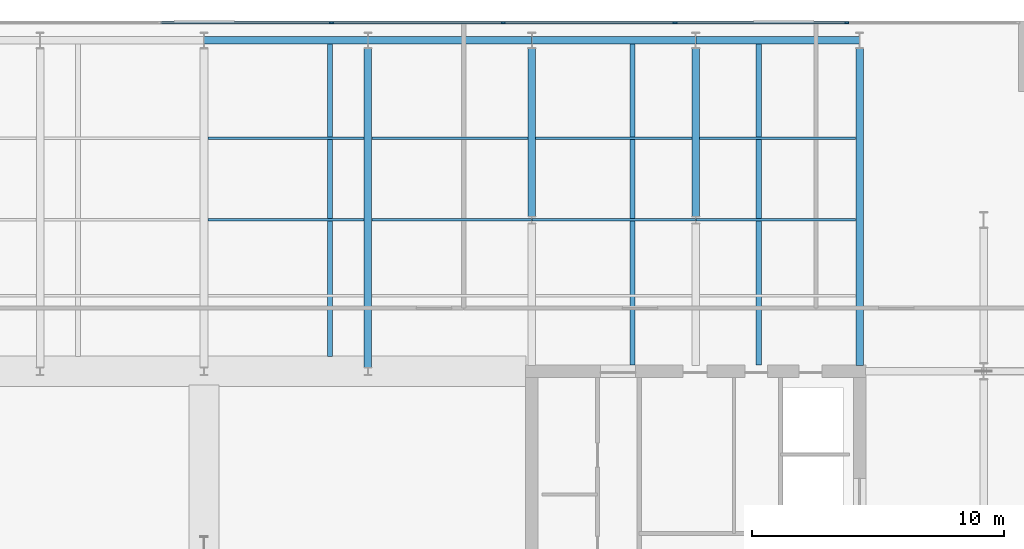
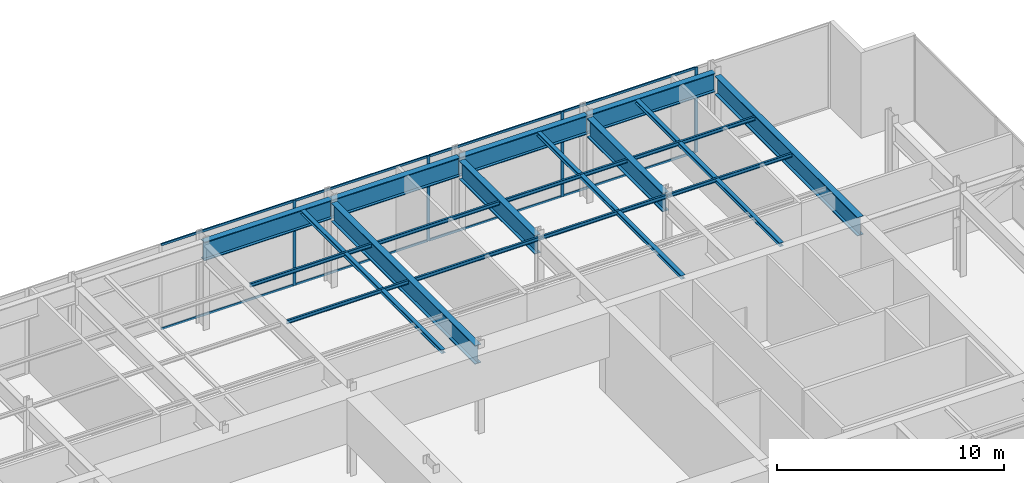
# One storey, part 12 of 21: 16 beams, 15 members, 1 element without a shape of its own.
"""IFC4 building model written with IfcOpenShell, lengths in metres."""

from ifc_helpers import new_model, si_unit, direction, frame, origin, origin_2d, place, context, subcontext, project, spatial, rectangle, i_section, extrude, material, layer, layer_set, material_profile, profile_set, type_object, element, aggregate, save


model = new_model("IFC4")

# Units and contexts
model_context = context("Model", 3, precision=1e-05, world=origin(), true_north=direction((0.0, 1.0)))
body_context = subcontext(model_context, "Body", "Model", "MODEL_VIEW")
ifc_project = project(units=[si_unit("LENGTHUNIT", "METRE"), si_unit("AREAUNIT", "SQUARE_METRE"), si_unit("VOLUMEUNIT", "CUBIC_METRE"), si_unit("PLANEANGLEUNIT", "RADIAN"), si_unit("MASSUNIT", "GRAM", prefix="KILO")], contexts=[model_context])

# Site, building, storey
site_placement = place(None, origin())
site = spatial("IfcSite", under=ifc_project, at=site_placement, CompositionType="ELEMENT")
building_placement = place(site_placement, origin())
building = spatial("IfcBuilding", under=site, at=building_placement, Name="Putna Gate Headquarters", CompositionType="ELEMENT")
storey_placement = place(building_placement, frame((0.0, 0.0, 315.39990234375)))
storey = spatial("IfcBuildingStorey", under=building, at=storey_placement, Name="L79", CompositionType="ELEMENT", Elevation=315.39990234375)

# Beams
ifc_material_1 = material(Name="Steel S355J2", Category="steel")
ifc_material_profile_1 = material_profile(ifc_material_1, i_section(OverallWidth=0.10009765625, OverallDepth=0.199951171875, WebThickness=0.005615234375, FlangeThickness=0.008544921875, at=origin_2d()), Name="Steel S355J2")
ifc_profile_set_1 = profile_set([ifc_material_profile_1], Name="Steel S355J2")
beam_type_1 = type_object("IfcBeamType", Name="BM-SEC-PLT-IPE200", PredefinedType="JOIST", material=ifc_profile_set_1)
for number, where, z_axis, x_axis, name in (
    (1, (39.155029296875, 39.0, 4.47998046875), (1.0, 0.0, 0.0), (0.0, 1.0, 0.0), "L79 North Secondary Beam 5"),
    (2, (39.155029296875, 42.25, 4.47998046875), (1.0, 0.0, 0.0), (0.0, 1.0, 0.0), "L79 North Secondary Beam 5"),
):
    element("IfcBeam", number, at=place(storey_placement, frame(where, z_axis=z_axis, x_axis=x_axis)), inside=storey, type_object=beam_type_1, Name=name, PredefinedType="JOIST", context=body_context, shape_type="SweptSolid", body=[
        extrude(i_section(OverallWidth=0.10009765625, OverallDepth=0.199951171875, WebThickness=0.005615234375, FlangeThickness=0.008544921875, at=origin_2d()), origin(), (0.0, 0.0, 1.0), 6.18994140625),
    ])
beam_1_placement = place(storey_placement, frame((45.655029296875, 39.0, 4.47998046875), z_axis=(1.0, 0.0, 0.0), x_axis=(0.0, 1.0, 0.0)))
element("IfcBeam", 3, at=beam_1_placement, inside=storey, type_object=beam_type_1, Name="L79 North Secondary Beam 6", PredefinedType="JOIST", context=body_context, shape_type="SweptSolid", body=[
    extrude(i_section(OverallWidth=0.10009765625, OverallDepth=0.199951171875, WebThickness=0.005615234375, FlangeThickness=0.008544921875, at=origin_2d()), origin(), (0.0, 0.0, 1.0), 6.3388671875),
])
beam_2_placement = place(storey_placement, frame((45.655029296875, 42.25, 4.47998046875), z_axis=(1.0, 0.0, 0.0), x_axis=(0.0, 1.0, 0.0)))
element("IfcBeam", 4, at=beam_2_placement, inside=storey, type_object=beam_type_1, Name="L79 North Secondary Beam 6", PredefinedType="JOIST", context=body_context, shape_type="SweptSolid", body=[
    extrude(i_section(OverallWidth=0.10009765625, OverallDepth=0.199951171875, WebThickness=0.005615234375, FlangeThickness=0.008544921875, at=origin_2d()), origin(), (0.0, 0.0, 1.0), 6.18994140625),
])
beam_3_placement = place(storey_placement, frame((52.006103515625, 39.0, 4.47998046875), z_axis=(1.0, 0.0, 0.0), x_axis=(0.0, 1.0, 0.0)))
element("IfcBeam", 5, at=beam_3_placement, inside=storey, type_object=beam_type_1, Name="L79 North Secondary Beam 7", PredefinedType="JOIST", context=body_context, shape_type="SweptSolid", body=[
    extrude(i_section(OverallWidth=0.10009765625, OverallDepth=0.199951171875, WebThickness=0.005615234375, FlangeThickness=0.008544921875, at=origin_2d()), origin(), (0.0, 0.0, 1.0), 6.48779296875),
])
beam_4_placement = place(storey_placement, frame((52.155029296875, 42.25, 4.47998046875), z_axis=(1.0, 0.0, 0.0), x_axis=(0.0, 1.0, 0.0)))
element("IfcBeam", 6, at=beam_4_placement, inside=storey, type_object=beam_type_1, Name="L79 North Secondary Beam 7", PredefinedType="JOIST", context=body_context, shape_type="SweptSolid", body=[
    extrude(i_section(OverallWidth=0.10009765625, OverallDepth=0.199951171875, WebThickness=0.005615234375, FlangeThickness=0.008544921875, at=origin_2d()), origin(), (0.0, 0.0, 1.0), 6.18994140625),
])
beam_5_placement = place(storey_placement, frame((58.506103515625, 39.0, 4.47998046875), z_axis=(1.0, 0.0, 0.0), x_axis=(0.0, 1.0, 0.0)))
element("IfcBeam", 7, at=beam_5_placement, inside=storey, type_object=beam_type_1, Name="L79 North Secondary Beam 8", PredefinedType="JOIST", context=body_context, shape_type="SweptSolid", body=[
    extrude(i_section(OverallWidth=0.10009765625, OverallDepth=0.199951171875, WebThickness=0.005615234375, FlangeThickness=0.008544921875, at=origin_2d()), origin(), (0.0, 0.0, 1.0), 6.3388671875),
])
beam_6_placement = place(storey_placement, frame((58.655029296875, 42.25, 4.47998046875), z_axis=(1.0, 0.0, 0.0), x_axis=(0.0, 1.0, 0.0)))
element("IfcBeam", 8, at=beam_6_placement, inside=storey, type_object=beam_type_1, Name="L79 North Secondary Beam 8", PredefinedType="JOIST", context=body_context, shape_type="SweptSolid", body=[
    extrude(i_section(OverallWidth=0.10009765625, OverallDepth=0.199951171875, WebThickness=0.005615234375, FlangeThickness=0.008544921875, at=origin_2d()), origin(), (0.0, 0.0, 1.0), 6.18994140625),
])
ifc_material_2 = material(Name="Steel S460M", Category="steel")
ifc_material_profile_2 = material_profile(ifc_material_2, i_section(OverallWidth=0.302001953125, OverallDepth=1.008056640625, WebThickness=0.02099609375, FlangeThickness=0.0400390625, at=origin_2d()), Name="Steel S460M")
ifc_profile_set_2 = profile_set([ifc_material_profile_2], Name="Steel S460M")
beam_type_2 = type_object("IfcBeamType", Name="BM-TG-HEM1000", PredefinedType="USERDEFINED", material=ifc_profile_set_2)
beam_7_placement = place(storey_placement, frame((45.5, 33.137939453125, 4.076171875), z_axis=(0.0, 1.0, 0.0), x_axis=(-1.0, 0.0, 0.0)))
element("IfcBeam", 9, at=beam_7_placement, inside=storey, type_object=beam_type_2, Name="L79 North Primary Girder X45", ObjectType="GIRDER", PredefinedType="USERDEFINED", context=body_context, shape_type="SweptSolid", body=[
    extrude(i_section(OverallWidth=0.302001953125, OverallDepth=1.008056640625, WebThickness=0.02099609375, FlangeThickness=0.0400390625, at=origin_2d()), origin(), (0.0, 0.0, 1.0), 12.66015625),
])
for number, where, z_axis, x_axis, name in (
    (10, (52.0, 39.137939453125, 4.076171875), (0.0, 1.0, 0.0), (-1.0, 0.0, 0.0), "L79 North Primary Girder X52-2"),
    (11, (58.5, 39.137939453125, 4.076171875), (0.0, 1.0, 0.0), (-1.0, 0.0, 0.0), "L79 North Primary Girder X58-2"),
):
    element("IfcBeam", number, at=place(storey_placement, frame(where, z_axis=z_axis, x_axis=x_axis)), inside=storey, type_object=beam_type_2, Name=name, ObjectType="GIRDER", PredefinedType="USERDEFINED", context=body_context, shape_type="SweptSolid", body=[
        extrude(i_section(OverallWidth=0.302001953125, OverallDepth=1.008056640625, WebThickness=0.02099609375, FlangeThickness=0.0400390625, at=origin_2d()), origin(), (0.0, 0.0, 1.0), 6.66015625),
    ])
beam_8_placement = place(storey_placement, frame((65.0, 33.235107421875, 4.076171875), z_axis=(0.0, 1.0, 0.0), x_axis=(-1.0, 0.0, 0.0)))
element("IfcBeam", 12, at=beam_8_placement, inside=storey, type_object=beam_type_2, Name="L79 North Primary Girder X65", ObjectType="GIRDER", PredefinedType="USERDEFINED", context=body_context, shape_type="SweptSolid", body=[
    extrude(i_section(OverallWidth=0.302001953125, OverallDepth=1.008056640625, WebThickness=0.02099609375, FlangeThickness=0.0400390625, at=origin_2d()), origin(), (0.0, 0.0, 1.0), 12.56298828125),
])
ifc_material_profile_3 = material_profile(ifc_material_2, i_section(OverallWidth=0.302001953125, OverallDepth=1.008056640625, WebThickness=0.02099609375, FlangeThickness=0.0400390625, at=origin_2d()), Name="Steel S460M")
ifc_profile_set_3 = profile_set([ifc_material_profile_3], Name="Steel S460M")
beam_type_3 = type_object("IfcBeamType", Name="BM-TG-HEM1000-EXT", PredefinedType="USERDEFINED", material=ifc_profile_set_3)
for number, where, z_axis, x_axis, name in (
    (13, (39.006103515625, 46.1201171875, 4.076171875), (1.0, 0.0, 0.0), (0.0, 1.0, 0.0), "L79 N Perimeter Spandrel 5"),
    (14, (45.506103515625, 46.1201171875, 4.076171875), (1.0, 0.0, 0.0), (0.0, 1.0, 0.0), "L79 N Perimeter Spandrel 6"),
    (15, (52.006103515625, 46.1201171875, 4.076171875), (1.0, 0.0, 0.0), (0.0, 1.0, 0.0), "L79 N Perimeter Spandrel 7"),
    (16, (58.506103515625, 46.1201171875, 4.076171875), (1.0, 0.0, 0.0), (0.0, 1.0, 0.0), "L79 N Perimeter Spandrel 8"),
):
    element("IfcBeam", number, at=place(storey_placement, frame(where, z_axis=z_axis, x_axis=x_axis)), inside=storey, type_object=beam_type_3, Name=name, ObjectType="GIRDER", PredefinedType="USERDEFINED", context=body_context, shape_type="SweptSolid", body=[
        extrude(i_section(OverallWidth=0.302001953125, OverallDepth=1.008056640625, WebThickness=0.02099609375, FlangeThickness=0.0400390625, at=origin_2d()), origin(), (0.0, 0.0, 1.0), 6.48779296875),
    ])

# Members
ifc_material_profile_4 = material_profile(ifc_material_1, i_section(OverallWidth=0.199951171875, OverallDepth=0.199951171875, WebThickness=0.009033203125, FlangeThickness=0.014892578125, at=origin_2d()), Name="Steel S355J2")
ifc_profile_set_4 = profile_set([ifc_material_profile_4], Name="Steel S355J2")
member_type_1 = type_object("IfcMemberType", Name="MEM-ROOF-PURLIN-HEB200", PredefinedType="PURLIN", material=ifc_profile_set_4)
member_1_placement = place(storey_placement, frame((44.0, 33.580078125, 4.47998046875), z_axis=(0.0, 1.0, 0.0), x_axis=(-1.0, 0.0, 0.0)))
element("IfcMember", 17, at=member_1_placement, inside=storey, type_object=member_type_1, Name="Crown Roof North Purlin RP-1 4", PredefinedType="PURLIN", context=body_context, shape_type="SweptSolid", body=[
    extrude(i_section(OverallWidth=0.199951171875, OverallDepth=0.199951171875, WebThickness=0.009033203125, FlangeThickness=0.014892578125, at=origin_2d()), origin(), (0.0, 0.0, 1.0), 12.419921875),
])
for number, where, z_axis, x_axis, name in (
    (18, (56.0, 33.239990234375, 4.47998046875), (0.0, 1.0, 0.0), (-1.0, 0.0, 0.0), "Crown Roof North Purlin RP-1 5"),
    (19, (61.0, 33.239990234375, 4.47998046875), (0.0, 1.0, 0.0), (-1.0, 0.0, 0.0), "Crown Roof North Purlin RP-1 6"),
):
    element("IfcMember", number, at=place(storey_placement, frame(where, z_axis=z_axis, x_axis=x_axis)), inside=storey, type_object=member_type_1, Name=name, PredefinedType="PURLIN", context=body_context, shape_type="SweptSolid", body=[
        extrude(i_section(OverallWidth=0.199951171875, OverallDepth=0.199951171875, WebThickness=0.009033203125, FlangeThickness=0.014892578125, at=origin_2d()), origin(), (0.0, 0.0, 1.0), 12.760009765625),
    ])

# Curtain wall, members
ifc_material_3 = material(Name="Anodised bronze aluminium curtain wall", Category="aluminium")
ifc_layer = layer(ifc_material_3, 0.159912109375)
ifc_layer_set = layer_set([ifc_layer], Name="Anodised bronze aluminium curtain wall")
curtain_wall_type = type_object("IfcCurtainWallType", Name="CW-SYS-CRN", PredefinedType="USERDEFINED", material=ifc_layer_set)
curtain_wall_placement = place(storey_placement, origin())
curtain_wall = element("IfcCurtainWall", 20, at=curtain_wall_placement, inside=storey, type_object=curtain_wall_type, Name="L79 Acoustic Louvre North Enclosure", ObjectType="STICK CURTAIN WALL", PredefinedType="USERDEFINED")
ifc_material_4 = material(Name="Anodised bronze aluminium EN AW-6060", Category="aluminium")
ifc_material_profile_5 = material_profile(ifc_material_4, rectangle(XDim=0.06494140625, YDim=0.159912109375, at=origin_2d()), Name="Anodised bronze aluminium EN AW-6060")
ifc_profile_set_5 = profile_set([ifc_material_profile_5], Name="Anodised bronze aluminium EN AW-6060")
member_type_2 = type_object("IfcMemberType", Name="MULL-CWM-CR", PredefinedType="MULLION", material=ifc_profile_set_5)
member_2_placement = place(storey_placement, frame((44.0556640625, 46.820068359375, 0.0), z_axis=(0.0, 0.0, 1.0), x_axis=(0.0, 1.0, 0.0)))
member_2 = element("IfcMember", 21, at=member_2_placement, type_object=member_type_2, Name="CWS-CR mullion 6", PredefinedType="MULLION", context=body_context, shape_type="SweptSolid", body=[
    extrude(rectangle(XDim=0.06494140625, YDim=0.159912109375, at=origin_2d()), origin(), (0.0, 0.0, 1.0), 4.580078125),
])
member_3_placement = place(storey_placement, frame((50.86669921875, 46.820068359375, 0.0), z_axis=(0.0, 0.0, 1.0), x_axis=(0.0, 1.0, 0.0)))
member_3 = element("IfcMember", 22, at=member_3_placement, type_object=member_type_2, Name="CWS-CR mullion 7", PredefinedType="MULLION", context=body_context, shape_type="SweptSolid", body=[
    extrude(rectangle(XDim=0.06494140625, YDim=0.159912109375, at=origin_2d()), origin(), (0.0, 0.0, 1.0), 4.580078125),
])
member_4_placement = place(storey_placement, frame((57.677734375, 46.820068359375, 0.0), z_axis=(0.0, 0.0, 1.0), x_axis=(0.0, 1.0, 0.0)))
member_4 = element("IfcMember", 23, at=member_4_placement, type_object=member_type_2, Name="CWS-CR mullion 8", PredefinedType="MULLION", context=body_context, shape_type="SweptSolid", body=[
    extrude(rectangle(XDim=0.06494140625, YDim=0.159912109375, at=origin_2d()), origin(), (0.0, 0.0, 1.0), 4.580078125),
])
member_5_placement = place(storey_placement, frame((64.48876953125, 46.820068359375, 0.0), z_axis=(0.0, 0.0, 1.0), x_axis=(0.0, 1.0, 0.0)))
member_5 = element("IfcMember", 24, at=member_5_placement, type_object=member_type_2, Name="CWS-CR mullion 9", PredefinedType="MULLION", context=body_context, shape_type="SweptSolid", body=[
    extrude(rectangle(XDim=0.06494140625, YDim=0.159912109375, at=origin_2d()), origin(), (0.0, 0.0, 1.0), 4.580078125),
])
ifc_material_profile_6 = material_profile(ifc_material_4, rectangle(XDim=0.06494140625, YDim=0.1201171875, at=origin_2d()), Name="Anodised bronze aluminium EN AW-6060")
ifc_profile_set_6 = profile_set([ifc_material_profile_6], Name="Anodised bronze aluminium EN AW-6060")
member_type_3 = type_object("IfcMemberType", Name="TRAN-CWT-CR", PredefinedType="USERDEFINED", material=ifc_profile_set_6)
member_6_placement = place(storey_placement, frame((37.27685546875, 46.820068359375, 0.03271484375), z_axis=(1.0, 0.0, 0.0), x_axis=(0.0, 1.0, 0.0)))
member_6 = element("IfcMember", 25, at=member_6_placement, type_object=member_type_3, Name="CWS-CR transom 5.1", ObjectType="TRANSOM", PredefinedType="USERDEFINED", context=body_context, shape_type="SweptSolid", body=[
    extrude(rectangle(XDim=0.06494140625, YDim=0.1201171875, at=origin_2d()), origin(), (0.0, 0.0, 1.0), 6.74609375),
])
member_7_placement = place(storey_placement, frame((37.27685546875, 46.820068359375, 4.547607421875), z_axis=(1.0, 0.0, 0.0), x_axis=(0.0, 1.0, 0.0)))
member_7 = element("IfcMember", 26, at=member_7_placement, type_object=member_type_3, Name="CWS-CR transom 5.2", ObjectType="TRANSOM", PredefinedType="USERDEFINED", context=body_context, shape_type="SweptSolid", body=[
    extrude(rectangle(XDim=0.06494140625, YDim=0.1201171875, at=origin_2d()), origin(), (0.0, 0.0, 1.0), 6.74609375),
])
member_8_placement = place(storey_placement, frame((44.088134765625, 46.820068359375, 0.03271484375), z_axis=(1.0, 0.0, 0.0), x_axis=(0.0, 1.0, 0.0)))
member_8 = element("IfcMember", 27, at=member_8_placement, type_object=member_type_3, Name="CWS-CR transom 6.1", ObjectType="TRANSOM", PredefinedType="USERDEFINED", context=body_context, shape_type="SweptSolid", body=[
    extrude(rectangle(XDim=0.06494140625, YDim=0.1201171875, at=origin_2d()), origin(), (0.0, 0.0, 1.0), 6.74609375),
])
member_9_placement = place(storey_placement, frame((44.088134765625, 46.820068359375, 4.547607421875), z_axis=(1.0, 0.0, 0.0), x_axis=(0.0, 1.0, 0.0)))
member_9 = element("IfcMember", 28, at=member_9_placement, type_object=member_type_3, Name="CWS-CR transom 6.2", ObjectType="TRANSOM", PredefinedType="USERDEFINED", context=body_context, shape_type="SweptSolid", body=[
    extrude(rectangle(XDim=0.06494140625, YDim=0.1201171875, at=origin_2d()), origin(), (0.0, 0.0, 1.0), 6.74609375),
])
member_10_placement = place(storey_placement, frame((50.899169921875, 46.820068359375, 0.03271484375), z_axis=(1.0, 0.0, 0.0), x_axis=(0.0, 1.0, 0.0)))
member_10 = element("IfcMember", 29, at=member_10_placement, type_object=member_type_3, Name="CWS-CR transom 7.1", ObjectType="TRANSOM", PredefinedType="USERDEFINED", context=body_context, shape_type="SweptSolid", body=[
    extrude(rectangle(XDim=0.06494140625, YDim=0.1201171875, at=origin_2d()), origin(), (0.0, 0.0, 1.0), 6.74609375),
])
member_11_placement = place(storey_placement, frame((50.899169921875, 46.820068359375, 4.547607421875), z_axis=(1.0, 0.0, 0.0), x_axis=(0.0, 1.0, 0.0)))
member_11 = element("IfcMember", 30, at=member_11_placement, type_object=member_type_3, Name="CWS-CR transom 7.2", ObjectType="TRANSOM", PredefinedType="USERDEFINED", context=body_context, shape_type="SweptSolid", body=[
    extrude(rectangle(XDim=0.06494140625, YDim=0.1201171875, at=origin_2d()), origin(), (0.0, 0.0, 1.0), 6.74609375),
])
member_12_placement = place(storey_placement, frame((57.710205078125, 46.820068359375, 0.03271484375), z_axis=(1.0, 0.0, 0.0), x_axis=(0.0, 1.0, 0.0)))
member_12 = element("IfcMember", 31, at=member_12_placement, type_object=member_type_3, Name="CWS-CR transom 8.1", ObjectType="TRANSOM", PredefinedType="USERDEFINED", context=body_context, shape_type="SweptSolid", body=[
    extrude(rectangle(XDim=0.06494140625, YDim=0.1201171875, at=origin_2d()), origin(), (0.0, 0.0, 1.0), 6.74609375),
])
member_13_placement = place(storey_placement, frame((57.710205078125, 46.820068359375, 4.547607421875), z_axis=(1.0, 0.0, 0.0), x_axis=(0.0, 1.0, 0.0)))
member_13 = element("IfcMember", 32, at=member_13_placement, type_object=member_type_3, Name="CWS-CR transom 8.2", ObjectType="TRANSOM", PredefinedType="USERDEFINED", context=body_context, shape_type="SweptSolid", body=[
    extrude(rectangle(XDim=0.06494140625, YDim=0.1201171875, at=origin_2d()), origin(), (0.0, 0.0, 1.0), 6.74609375),
])
aggregate(curtain_wall, [member_2, member_3, member_4, member_5, member_6, member_7, member_8, member_9, member_10, member_11, member_12, member_13])

save(model, "model.ifc")
